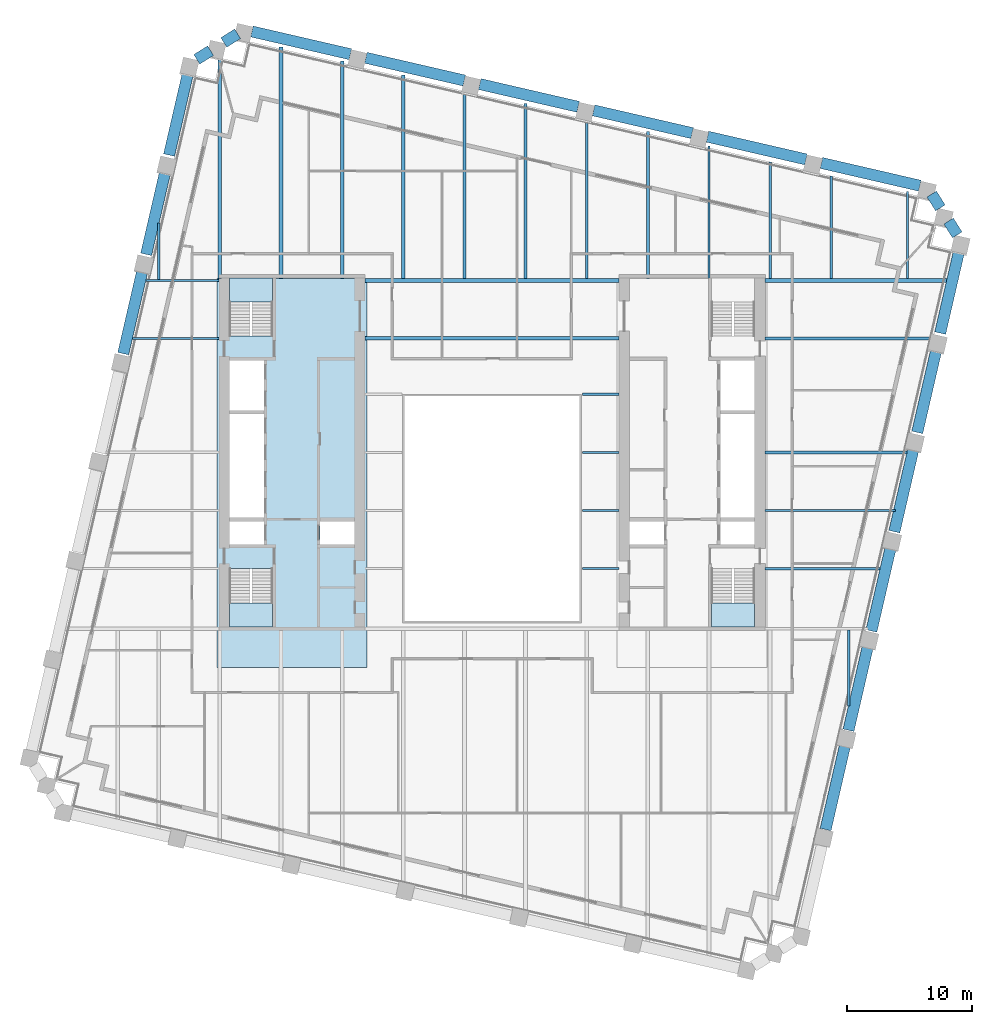
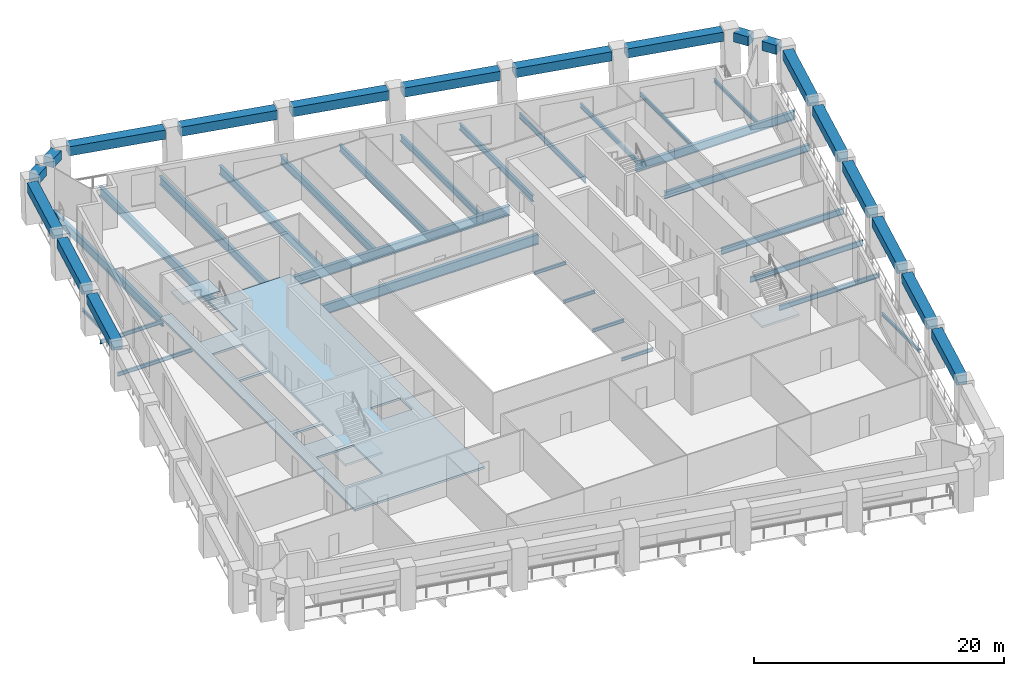
# One storey, part 2 of 9: 46 beams, 4 slabs, 3 elements without a shape of their own.
"""IFC4 building model written with IfcOpenShell, lengths in metres."""

from ifc_helpers import new_model, si_unit, direction, frame, origin, origin_2d, place, context, subcontext, project, spatial, polyline, rectangle, i_section, outline, extrude, material, layer, layer_set, material_profile, profile_set, type_object, element, aggregate, save


model = new_model("IFC4")

# Units and contexts
model_context = context("Model", 3, precision=1e-05, world=origin(), true_north=direction((0.0, 1.0)))
body_context = subcontext(model_context, "Body", "Model", "MODEL_VIEW")
ifc_project = project(units=[si_unit("LENGTHUNIT", "METRE"), si_unit("AREAUNIT", "SQUARE_METRE"), si_unit("VOLUMEUNIT", "CUBIC_METRE"), si_unit("PLANEANGLEUNIT", "RADIAN"), si_unit("MASSUNIT", "GRAM", prefix="KILO")], contexts=[model_context])

# Site, building, storey
site_placement = place(None, origin())
site = spatial("IfcSite", under=ifc_project, at=site_placement, CompositionType="ELEMENT")
building_placement = place(site_placement, origin())
building = spatial("IfcBuilding", under=site, at=building_placement, Name="Ogive Exchange Tower", CompositionType="ELEMENT")
storey_placement = place(building_placement, frame((0.0, 0.0, 122.39990234375)))
storey = spatial("IfcBuildingStorey", under=building, at=storey_placement, Name="L26", CompositionType="ELEMENT", Elevation=122.39990234375)

# Beams
ifc_material_1 = material(Name="Steel ASTM A992 Gr50", Category="steel")
ifc_material_profile_1 = material_profile(ifc_material_1, i_section(OverallWidth=0.300048828125, OverallDepth=0.969970703125, WebThickness=0.01611328125, FlangeThickness=0.02099609375, at=origin_2d()), Name="W1000x222")
ifc_profile_set_1 = profile_set([ifc_material_profile_1], Name="Steel ASTM A992 Gr50")
beam_type_1 = type_object("IfcBeamType", Name="Floor beam W1000x222", PredefinedType="JOIST", material=ifc_profile_set_1)
beam_1_placement = place(storey_placement, frame((-10.169921875, 20.62255859375, -0.684814453125), z_axis=(1.0, 0.0, 0.0), x_axis=(0.0, 1.0, 0.0)))
element("IfcBeam", 1, at=beam_1_placement, inside=storey, type_object=beam_type_1, Name="Floor beam", PredefinedType="JOIST", context=body_context, shape_type="SweptSolid", body=[
    extrude(i_section(OverallWidth=0.300048828125, OverallDepth=0.969970703125, WebThickness=0.01611328125, FlangeThickness=0.02099609375, at=origin_2d()), origin(), (0.0, 0.0, 1.0), 20.33984375),
])
ifc_material_profile_2 = material_profile(ifc_material_1, i_section(OverallWidth=0.1650390625, OverallDepth=0.31005859375, WebThickness=0.005859375, FlangeThickness=0.009765625, at=origin_2d()), Name="W310x38.7")
ifc_profile_set_2 = profile_set([ifc_material_profile_2], Name="Steel ASTM A992 Gr50")
beam_type_2 = type_object("IfcBeamType", Name="Floor beam W310x38.7", PredefinedType="JOIST", material=ifc_profile_set_2)
for number, where, z_axis, x_axis, name in (
    (2, (7.219970703125, 2.208740234375, -0.35498046875), (1.0, 0.0, 0.0), (0.0, 1.0, 0.0), "Floor beam"),
    (3, (7.219970703125, 6.857421875, -0.35498046875), (1.0, 0.0, 0.0), (0.0, 1.0, 0.0), "Floor beam"),
    (4, (7.219970703125, 11.50634765625, -0.35498046875), (1.0, 0.0, 0.0), (0.0, 1.0, 0.0), "Floor beam"),
):
    element("IfcBeam", number, at=place(storey_placement, frame(where, z_axis=z_axis, x_axis=x_axis)), inside=storey, type_object=beam_type_2, Name=name, PredefinedType="JOIST", context=body_context, shape_type="SweptSolid", body=[
        extrude(i_section(OverallWidth=0.1650390625, OverallDepth=0.31005859375, WebThickness=0.005859375, FlangeThickness=0.009765625, at=origin_2d()), origin(), (0.0, 0.0, 1.0), 2.949951171875),
    ])
beam_2_placement = place(storey_placement, frame((28.527099609375, -8.78271484375, -0.35498046875), z_axis=(0.0, 1.0, 0.0), x_axis=(-1.0, 0.0, 0.0)))
element("IfcBeam", 5, at=beam_2_placement, inside=storey, type_object=beam_type_2, Name="Floor beam", PredefinedType="JOIST", context=body_context, shape_type="SweptSolid", body=[
    extrude(i_section(OverallWidth=0.1650390625, OverallDepth=0.31005859375, WebThickness=0.005859375, FlangeThickness=0.009765625, at=origin_2d()), origin(), (0.0, 0.0, 1.0), 6.091796875),
])
beam_3_placement = place(storey_placement, frame((-26.66064453125, 25.33056640625, -0.35498046875), z_axis=(0.0, 1.0, 0.0), x_axis=(-1.0, 0.0, 0.0)))
element("IfcBeam", 6, at=beam_3_placement, inside=storey, type_object=beam_type_2, Name="Floor beam", PredefinedType="JOIST", context=body_context, shape_type="SweptSolid", body=[
    extrude(i_section(OverallWidth=0.1650390625, OverallDepth=0.31005859375, WebThickness=0.005859375, FlangeThickness=0.009765625, at=origin_2d()), origin(), (0.0, 0.0, 1.0), 4.5361328125),
])
ifc_material_profile_3 = material_profile(ifc_material_1, i_section(OverallWidth=0.1708984375, OverallDepth=0.35595703125, WebThickness=0.00732421875, FlangeThickness=0.01171875, at=origin_2d()), Name="W360x51")
ifc_profile_set_3 = profile_set([ifc_material_profile_3], Name="Steel ASTM A992 Gr50")
beam_type_3 = type_object("IfcBeamType", Name="Floor beam W360x51", PredefinedType="JOIST", material=ifc_profile_set_3)
beam_4_placement = place(storey_placement, frame((-28.76025390625, 20.62255859375, -0.3779296875), z_axis=(1.0, 0.0, 0.0), x_axis=(0.0, 1.0, 0.0)))
element("IfcBeam", 7, at=beam_4_placement, inside=storey, type_object=beam_type_3, Name="Floor beam", PredefinedType="JOIST", context=body_context, shape_type="SweptSolid", body=[
    extrude(i_section(OverallWidth=0.1708984375, OverallDepth=0.35595703125, WebThickness=0.00732421875, FlangeThickness=0.01171875, at=origin_2d()), origin(), (0.0, 0.0, 1.0), 6.93017578125),
])
beam_5_placement = place(storey_placement, frame((33.216796875, 25.39111328125, -0.3779296875), z_axis=(0.0, 1.0, 0.0), x_axis=(-1.0, 0.0, 0.0)))
element("IfcBeam", 8, at=beam_5_placement, inside=storey, type_object=beam_type_3, Name="Floor beam", PredefinedType="JOIST", context=body_context, shape_type="SweptSolid", body=[
    extrude(i_section(OverallWidth=0.1708984375, OverallDepth=0.35595703125, WebThickness=0.00732421875, FlangeThickness=0.01171875, at=origin_2d()), origin(), (0.0, 0.0, 1.0), 6.968505859375),
])
ifc_material_profile_4 = material_profile(ifc_material_1, i_section(OverallWidth=0.177978515625, OverallDepth=0.406005859375, WebThickness=0.0078125, FlangeThickness=0.0126953125, at=origin_2d()), Name="W410x60")
ifc_profile_set_4 = profile_set([ifc_material_profile_4], Name="Steel ASTM A992 Gr50")
beam_type_4 = type_object("IfcBeamType", Name="Floor beam W410x60", PredefinedType="JOIST", material=ifc_profile_set_4)
beam_6_placement = place(storey_placement, frame((27.126953125, 25.39111328125, -0.40283203125), z_axis=(0.0, 1.0, 0.0), x_axis=(-1.0, 0.0, 0.0)))
element("IfcBeam", 9, at=beam_6_placement, inside=storey, type_object=beam_type_4, Name="Floor beam", PredefinedType="JOIST", context=body_context, shape_type="SweptSolid", body=[
    extrude(i_section(OverallWidth=0.177978515625, OverallDepth=0.406005859375, WebThickness=0.0078125, FlangeThickness=0.0126953125, at=origin_2d()), origin(), (0.0, 0.0, 1.0), 8.224365234375),
])
ifc_material_profile_5 = material_profile(ifc_material_1, i_section(OverallWidth=0.19091796875, OverallDepth=0.45703125, WebThickness=0.009033203125, FlangeThickness=0.014404296875, at=origin_2d()), Name="W460x74")
ifc_profile_set_5 = profile_set([ifc_material_profile_5], Name="Steel ASTM A992 Gr50")
beam_type_5 = type_object("IfcBeamType", Name="Floor beam W460x74", PredefinedType="JOIST", material=ifc_profile_set_5)
beam_7_placement = place(storey_placement, frame((21.830078125, 2.208740234375, -0.428466796875), z_axis=(1.0, 0.0, 0.0), x_axis=(0.0, 1.0, 0.0)))
element("IfcBeam", 10, at=beam_7_placement, inside=storey, type_object=beam_type_5, Name="Floor beam", PredefinedType="JOIST", context=body_context, shape_type="SweptSolid", body=[
    extrude(i_section(OverallWidth=0.19091796875, OverallDepth=0.45703125, WebThickness=0.009033203125, FlangeThickness=0.014404296875, at=origin_2d()), origin(), (0.0, 0.0, 1.0), 9.199951171875),
])
beam_8_placement = place(storey_placement, frame((22.2373046875, 25.39111328125, -0.428466796875), z_axis=(0.0, 1.0, 0.0), x_axis=(-1.0, 0.0, 0.0)))
element("IfcBeam", 11, at=beam_8_placement, inside=storey, type_object=beam_type_5, Name="Floor beam", PredefinedType="JOIST", context=body_context, shape_type="SweptSolid", body=[
    extrude(i_section(OverallWidth=0.19091796875, OverallDepth=0.45703125, WebThickness=0.009033203125, FlangeThickness=0.014404296875, at=origin_2d()), origin(), (0.0, 0.0, 1.0), 9.353271484375),
])
ifc_material_profile_6 = material_profile(ifc_material_1, i_section(OverallWidth=0.1669921875, OverallDepth=0.535888671875, WebThickness=0.01025390625, FlangeThickness=0.0166015625, at=origin_2d()), Name="W530x85")
ifc_profile_set_6 = profile_set([ifc_material_profile_6], Name="Steel ASTM A992 Gr50")
beam_type_6 = type_object("IfcBeamType", Name="Floor beam W530x85", PredefinedType="JOIST", material=ifc_profile_set_6)
beam_9_placement = place(storey_placement, frame((21.830078125, 6.857421875, -0.468017578125), z_axis=(1.0, 0.0, 0.0), x_axis=(0.0, 1.0, 0.0)))
element("IfcBeam", 12, at=beam_9_placement, inside=storey, type_object=beam_type_6, Name="Floor beam", PredefinedType="JOIST", context=body_context, shape_type="SweptSolid", body=[
    extrude(i_section(OverallWidth=0.1669921875, OverallDepth=0.535888671875, WebThickness=0.01025390625, FlangeThickness=0.0166015625, at=origin_2d()), origin(), (0.0, 0.0, 1.0), 10.423095703125),
])
beam_10_placement = place(storey_placement, frame((17.347412109375, 25.39990234375, -0.468017578125), z_axis=(0.0, 1.0, 0.0), x_axis=(-1.0, 0.0, 0.0)))
element("IfcBeam", 13, at=beam_10_placement, inside=storey, type_object=beam_type_6, Name="Floor beam", PredefinedType="JOIST", context=body_context, shape_type="SweptSolid", body=[
    extrude(i_section(OverallWidth=0.1669921875, OverallDepth=0.535888671875, WebThickness=0.01025390625, FlangeThickness=0.0166015625, at=origin_2d()), origin(), (0.0, 0.0, 1.0), 10.623291015625),
])
ifc_material_profile_7 = material_profile(ifc_material_1, i_section(OverallWidth=0.22802734375, OverallDepth=0.60205078125, WebThickness=0.010498046875, FlangeThickness=0.014892578125, at=origin_2d()), Name="W610x101")
ifc_profile_set_7 = profile_set([ifc_material_profile_7], Name="Steel ASTM A992 Gr50")
beam_type_7 = type_object("IfcBeamType", Name="Floor beam W610x101", PredefinedType="JOIST", material=ifc_profile_set_7)
beam_11_placement = place(storey_placement, frame((21.830078125, 11.50634765625, -0.5009765625), z_axis=(1.0, 0.0, 0.0), x_axis=(0.0, 1.0, 0.0)))
element("IfcBeam", 14, at=beam_11_placement, inside=storey, type_object=beam_type_7, Name="Floor beam", PredefinedType="JOIST", context=body_context, shape_type="SweptSolid", body=[
    extrude(i_section(OverallWidth=0.22802734375, OverallDepth=0.60205078125, WebThickness=0.010498046875, FlangeThickness=0.014892578125, at=origin_2d()), origin(), (0.0, 0.0, 1.0), 11.346435546875),
])
beam_12_placement = place(storey_placement, frame((12.45751953125, 25.39990234375, -0.5009765625), z_axis=(0.0, 1.0, 0.0), x_axis=(-1.0, 0.0, 0.0)))
element("IfcBeam", 15, at=beam_12_placement, inside=storey, type_object=beam_type_7, Name="Floor beam", PredefinedType="JOIST", context=body_context, shape_type="SweptSolid", body=[
    extrude(i_section(OverallWidth=0.22802734375, OverallDepth=0.60205078125, WebThickness=0.010498046875, FlangeThickness=0.014892578125, at=origin_2d()), origin(), (0.0, 0.0, 1.0), 11.752197265625),
])
ifc_material_profile_8 = material_profile(ifc_material_1, i_section(OverallWidth=0.22900390625, OverallDepth=0.612060546875, WebThickness=0.011962890625, FlangeThickness=0.01953125, at=origin_2d()), Name="W610x125")
ifc_profile_set_8 = profile_set([ifc_material_profile_8], Name="Steel ASTM A992 Gr50")
beam_type_8 = type_object("IfcBeamType", Name="Floor beam W610x125", PredefinedType="JOIST", material=ifc_profile_set_8)
beam_13_placement = place(storey_placement, frame((7.56787109375, 25.39501953125, -0.505859375), z_axis=(0.0, 1.0, 0.0), x_axis=(-1.0, 0.0, 0.0)))
element("IfcBeam", 16, at=beam_13_placement, inside=storey, type_object=beam_type_8, Name="Floor beam", PredefinedType="JOIST", context=body_context, shape_type="SweptSolid", body=[
    extrude(i_section(OverallWidth=0.22900390625, OverallDepth=0.612060546875, WebThickness=0.011962890625, FlangeThickness=0.01953125, at=origin_2d()), origin(), (0.0, 0.0, 1.0), 12.736083984375),
])
ifc_material_profile_9 = material_profile(ifc_material_1, i_section(OverallWidth=0.25390625, OverallDepth=0.677978515625, WebThickness=0.01171875, FlangeThickness=0.016357421875, at=origin_2d()), Name="W690x125")
ifc_profile_set_9 = profile_set([ifc_material_profile_9], Name="Steel ASTM A992 Gr50")
beam_type_9 = type_object("IfcBeamType", Name="Floor beam W690x125", PredefinedType="JOIST", material=ifc_profile_set_9)
beam_14_placement = place(storey_placement, frame((21.830078125, 20.62255859375, -0.538818359375), z_axis=(1.0, 0.0, 0.0), x_axis=(0.0, 1.0, 0.0)))
element("IfcBeam", 17, at=beam_14_placement, inside=storey, type_object=beam_type_9, Name="Floor beam", PredefinedType="JOIST", context=body_context, shape_type="SweptSolid", body=[
    extrude(i_section(OverallWidth=0.25390625, OverallDepth=0.677978515625, WebThickness=0.01171875, FlangeThickness=0.016357421875, at=origin_2d()), origin(), (0.0, 0.0, 1.0), 13.450927734375),
])
beam_15_placement = place(storey_placement, frame((2.677978515625, 25.39501953125, -0.538818359375), z_axis=(0.0, 1.0, 0.0), x_axis=(-1.0, 0.0, 0.0)))
element("IfcBeam", 18, at=beam_15_placement, inside=storey, type_object=beam_type_9, Name="Floor beam", PredefinedType="JOIST", context=body_context, shape_type="SweptSolid", body=[
    extrude(i_section(OverallWidth=0.25390625, OverallDepth=0.677978515625, WebThickness=0.01171875, FlangeThickness=0.016357421875, at=origin_2d()), origin(), (0.0, 0.0, 1.0), 14.014892578125),
])
ifc_material_profile_10 = material_profile(ifc_material_1, i_section(OverallWidth=0.26708984375, OverallDepth=0.75390625, WebThickness=0.01318359375, FlangeThickness=0.01708984375, at=origin_2d()), Name="W760x147")
ifc_profile_set_10 = profile_set([ifc_material_profile_10], Name="Steel ASTM A992 Gr50")
beam_type_10 = type_object("IfcBeamType", Name="Floor beam W760x147", PredefinedType="JOIST", material=ifc_profile_set_10)
beam_16_placement = place(storey_placement, frame((-2.2119140625, 25.39501953125, -0.576904296875), z_axis=(0.0, 1.0, 0.0), x_axis=(-1.0, 0.0, 0.0)))
element("IfcBeam", 19, at=beam_16_placement, inside=storey, type_object=beam_type_10, Name="Floor beam", PredefinedType="JOIST", context=body_context, shape_type="SweptSolid", body=[
    extrude(i_section(OverallWidth=0.26708984375, OverallDepth=0.75390625, WebThickness=0.01318359375, FlangeThickness=0.01708984375, at=origin_2d()), origin(), (0.0, 0.0, 1.0), 14.993896484375),
])
ifc_material_profile_11 = material_profile(ifc_material_1, i_section(OverallWidth=0.2919921875, OverallDepth=0.8359375, WebThickness=0.013916015625, FlangeThickness=0.018798828125, at=origin_2d()), Name="W840x176")
ifc_profile_set_11 = profile_set([ifc_material_profile_11], Name="Steel ASTM A992 Gr50")
beam_type_11 = type_object("IfcBeamType", Name="Floor beam W840x176", PredefinedType="JOIST", material=ifc_profile_set_11)
beam_17_placement = place(storey_placement, frame((-21.77099609375, 25.39990234375, -0.617919921875), z_axis=(0.0, 1.0, 0.0), x_axis=(-1.0, 0.0, 0.0)))
element("IfcBeam", 20, at=beam_17_placement, inside=storey, type_object=beam_type_11, Name="Floor beam", PredefinedType="JOIST", context=body_context, shape_type="SweptSolid", body=[
    extrude(i_section(OverallWidth=0.2919921875, OverallDepth=0.8359375, WebThickness=0.013916015625, FlangeThickness=0.018798828125, at=origin_2d()), origin(), (0.0, 0.0, 1.0), 17.4951171875),
])
beam_18_placement = place(storey_placement, frame((-11.9912109375, 25.39990234375, -0.617919921875), z_axis=(0.0, 1.0, 0.0), x_axis=(-1.0, 0.0, 0.0)))
element("IfcBeam", 21, at=beam_18_placement, inside=storey, type_object=beam_type_11, Name="Floor beam", PredefinedType="JOIST", context=body_context, shape_type="SweptSolid", body=[
    extrude(i_section(OverallWidth=0.2919921875, OverallDepth=0.8359375, WebThickness=0.013916015625, FlangeThickness=0.018798828125, at=origin_2d()), origin(), (0.0, 0.0, 1.0), 17.396728515625),
])
beam_19_placement = place(storey_placement, frame((-7.1015625, 25.39501953125, -0.617919921875), z_axis=(0.0, 1.0, 0.0), x_axis=(-1.0, 0.0, 0.0)))
element("IfcBeam", 22, at=beam_19_placement, inside=storey, type_object=beam_type_11, Name="Floor beam", PredefinedType="JOIST", context=body_context, shape_type="SweptSolid", body=[
    extrude(i_section(OverallWidth=0.2919921875, OverallDepth=0.8359375, WebThickness=0.013916015625, FlangeThickness=0.018798828125, at=origin_2d()), origin(), (0.0, 0.0, 1.0), 16.272705078125),
])
ifc_material_profile_12 = material_profile(ifc_material_1, i_section(OverallWidth=0.304931640625, OverallDepth=0.904052734375, WebThickness=0.01513671875, FlangeThickness=0.02001953125, at=origin_2d()), Name="W920x201")
ifc_profile_set_12 = profile_set([ifc_material_profile_12], Name="Steel ASTM A992 Gr50")
beam_type_12 = type_object("IfcBeamType", Name="Floor beam W920x201", PredefinedType="JOIST", material=ifc_profile_set_12)
beam_20_placement = place(storey_placement, frame((-16.881103515625, 25.39990234375, -0.65185546875), z_axis=(0.0, 1.0, 0.0), x_axis=(-1.0, 0.0, 0.0)))
element("IfcBeam", 23, at=beam_20_placement, inside=storey, type_object=beam_type_12, Name="Floor beam", PredefinedType="JOIST", context=body_context, shape_type="SweptSolid", body=[
    extrude(i_section(OverallWidth=0.304931640625, OverallDepth=0.904052734375, WebThickness=0.01513671875, FlangeThickness=0.02001953125, at=origin_2d()), origin(), (0.0, 0.0, 1.0), 18.525634765625),
])
ifc_material_profile_13 = material_profile(ifc_material_1, i_section(OverallWidth=0.300048828125, OverallDepth=0.97998046875, WebThickness=0.0166015625, FlangeThickness=0.026123046875, at=origin_2d()), Name="W1000x249")
ifc_profile_set_13 = profile_set([ifc_material_profile_13], Name="Steel ASTM A992 Gr50")
beam_type_13 = type_object("IfcBeamType", Name="Girder W1000x249", PredefinedType="BEAM", material=ifc_profile_set_13)
beam_21_placement = place(storey_placement, frame((-10.169921875, 25.2451171875, -0.68994140625), z_axis=(1.0, 0.0, 0.0), x_axis=(0.0, 1.0, 0.0)))
element("IfcBeam", 24, at=beam_21_placement, inside=storey, type_object=beam_type_13, Name="Header girder", PredefinedType="BEAM", context=body_context, shape_type="SweptSolid", body=[
    extrude(i_section(OverallWidth=0.300048828125, OverallDepth=0.97998046875, WebThickness=0.0166015625, FlangeThickness=0.026123046875, at=origin_2d()), origin(), (0.0, 0.0, 1.0), 20.33984375),
])
ifc_material_profile_14 = material_profile(ifc_material_1, i_section(OverallWidth=0.1650390625, OverallDepth=0.31005859375, WebThickness=0.005859375, FlangeThickness=0.009765625, at=origin_2d()), Name="W310x38.7")
ifc_profile_set_14 = profile_set([ifc_material_profile_14], Name="Steel ASTM A992 Gr50")
beam_type_14 = type_object("IfcBeamType", Name="Girder W310x38.7", PredefinedType="BEAM", material=ifc_profile_set_14)
beam_22_placement = place(storey_placement, frame((7.219970703125, 16.155029296875, -0.35498046875), z_axis=(1.0, 0.0, 0.0), x_axis=(0.0, 1.0, 0.0)))
element("IfcBeam", 25, at=beam_22_placement, inside=storey, type_object=beam_type_14, Name="Trimmer girder", PredefinedType="BEAM", context=body_context, shape_type="SweptSolid", body=[
    extrude(i_section(OverallWidth=0.1650390625, OverallDepth=0.31005859375, WebThickness=0.005859375, FlangeThickness=0.009765625, at=origin_2d()), origin(), (0.0, 0.0, 1.0), 2.949951171875),
])
ifc_material_profile_15 = material_profile(ifc_material_1, i_section(OverallWidth=0.1708984375, OverallDepth=0.35595703125, WebThickness=0.00732421875, FlangeThickness=0.01171875, at=origin_2d()), Name="W360x51")
ifc_profile_set_15 = profile_set([ifc_material_profile_15], Name="Steel ASTM A992 Gr50")
beam_type_15 = type_object("IfcBeamType", Name="Girder W360x51", PredefinedType="BEAM", material=ifc_profile_set_15)
beam_23_placement = place(storey_placement, frame((-27.693115234375, 25.2451171875, -0.3779296875), z_axis=(1.0, 0.0, 0.0), x_axis=(0.0, 1.0, 0.0)))
element("IfcBeam", 26, at=beam_23_placement, inside=storey, type_object=beam_type_15, Name="Header girder", PredefinedType="BEAM", context=body_context, shape_type="SweptSolid", body=[
    extrude(i_section(OverallWidth=0.1708984375, OverallDepth=0.35595703125, WebThickness=0.00732421875, FlangeThickness=0.01171875, at=origin_2d()), origin(), (0.0, 0.0, 1.0), 5.863037109375),
])
ifc_material_profile_16 = material_profile(ifc_material_1, i_section(OverallWidth=0.2919921875, OverallDepth=0.8359375, WebThickness=0.013916015625, FlangeThickness=0.018798828125, at=origin_2d()), Name="W840x176")
ifc_profile_set_16 = profile_set([ifc_material_profile_16], Name="Steel ASTM A992 Gr50")
beam_type_16 = type_object("IfcBeamType", Name="Girder W840x176", PredefinedType="BEAM", material=ifc_profile_set_16)
beam_24_placement = place(storey_placement, frame((21.830078125, 25.2451171875, -0.617919921875), z_axis=(1.0, 0.0, 0.0), x_axis=(0.0, 1.0, 0.0)))
element("IfcBeam", 27, at=beam_24_placement, inside=storey, type_object=beam_type_16, Name="Header girder", PredefinedType="BEAM", context=body_context, shape_type="SweptSolid", body=[
    extrude(i_section(OverallWidth=0.2919921875, OverallDepth=0.8359375, WebThickness=0.013916015625, FlangeThickness=0.018798828125, at=origin_2d()), origin(), (0.0, 0.0, 1.0), 14.668212890625),
])
ifc_material_2 = material(Name="Precast concrete C70/85 (limestone faced)", Category="masonry")
ifc_material_profile_17 = material_profile(ifc_material_2, rectangle(XDim=0.89990234375, YDim=0.89990234375, at=origin_2d()), Name="900 x 900")
ifc_profile_set_17 = profile_set([ifc_material_profile_17], Name="Precast concrete C70/85 (limestone faced)")
beam_type_17 = type_object("IfcBeamType", Name="Precast spandrel 900 x 900 C70/85", PredefinedType="SPANDREL", material=ifc_profile_set_17)
beam_25_placement = place(storey_placement, frame((26.6728515625, -18.664306640625, 3.5), z_axis=(0.224955250564, 0.974369096002, 0.0), x_axis=(-0.974369096002, 0.224955250564, 0.0)))
element("IfcBeam", 28, at=beam_25_placement, inside=storey, type_object=beam_type_17, Name="Spandrel 10", PredefinedType="SPANDREL", context=body_context, shape_type="SweptSolid", body=[
    extrude(rectangle(XDim=0.89990234375, YDim=0.89990234375, at=origin_2d()), origin(), (0.0, 0.0, 1.0), 6.890380859375),
])
for number, where, z_axis, x_axis, name in (
    (29, (28.50634765625, -10.72265625, 3.5), (0.224947484592, 0.974370888921, 0.0), (-0.974370888921, 0.224947484592, 0.0), "Spandrel 11"),
    (30, (30.33984375, -2.781005859375, 3.5), (0.224947484592, 0.974370888921, 0.0), (-0.974370888921, 0.224947484592, 0.0), "Spandrel 12"),
    (31, (32.17333984375, 5.160888671875, 3.5), (0.224947484592, 0.974370888921, 0.0), (-0.974370888921, 0.224947484592, 0.0), "Spandrel 13"),
    (32, (34.0068359375, 13.1025390625, 3.5), (0.224947484592, 0.974370888921, 0.0), (-0.974370888921, 0.224947484592, 0.0), "Spandrel 14"),
    (33, (35.84033203125, 21.044189453125, 3.5), (0.224947484592, 0.974370888921, 0.0), (-0.974370888921, 0.224947484592, 0.0), "Spandrel 15"),
):
    element("IfcBeam", number, at=place(storey_placement, frame(where, z_axis=z_axis, x_axis=x_axis)), inside=storey, type_object=beam_type_17, Name=name, PredefinedType="SPANDREL", context=body_context, shape_type="SweptSolid", body=[
        extrude(rectangle(XDim=0.89990234375, YDim=0.89990234375, at=origin_2d()), origin(), (0.0, 0.0, 1.0), 6.890625),
    ])
for number, where, z_axis, x_axis, name in (
    (34, (37.2041015625, 28.8974609375, 3.5), (-0.530066093226, 0.847956329543, 0.0), (-0.847956329543, -0.530066093226, 0.0), "Spandrel 16"),
    (35, (35.85498046875, 31.05615234375, 3.5), (-0.529931776808, 0.848040277303, 0.0), (-0.848040277303, -0.529931776808, 0.0), "Spandrel 17"),
):
    element("IfcBeam", number, at=place(storey_placement, frame(where, z_axis=z_axis, x_axis=x_axis)), inside=storey, type_object=beam_type_17, Name=name, PredefinedType="SPANDREL", context=body_context, shape_type="SweptSolid", body=[
        extrude(rectangle(XDim=0.89990234375, YDim=0.89990234375, at=origin_2d()), origin(), (0.0, 0.0, 1.0), 1.30712890625),
    ])
for number, where, z_axis, x_axis, name in (
    (36, (34.220458984375, 32.83154296875, 3.5), (-0.974371864918, 0.224943256972, 0.0), (-0.224943256972, -0.974371864918, 0.0), "Spandrel 18"),
    (37, (25.110107421875, 34.934814453125, 3.5), (-0.974371864918, 0.224943256972, 0.0), (-0.224943256972, -0.974371864918, 0.0), "Spandrel 19"),
):
    element("IfcBeam", number, at=place(storey_placement, frame(where, z_axis=z_axis, x_axis=x_axis)), inside=storey, type_object=beam_type_17, Name=name, PredefinedType="SPANDREL", context=body_context, shape_type="SweptSolid", body=[
        extrude(rectangle(XDim=0.89990234375, YDim=0.89990234375, at=origin_2d()), origin(), (0.0, 0.0, 1.0), 8.090087890625),
    ])
beam_26_placement = place(storey_placement, frame((15.99951171875, 37.0380859375, 3.5), z_axis=(-0.974370337884, 0.224949871421, 0.0), x_axis=(-0.224949871421, -0.974370337884, 0.0)))
element("IfcBeam", 38, at=beam_26_placement, inside=storey, type_object=beam_type_17, Name="Spandrel 20", PredefinedType="SPANDREL", context=body_context, shape_type="SweptSolid", body=[
    extrude(rectangle(XDim=0.89990234375, YDim=0.89990234375, at=origin_2d()), origin(), (0.0, 0.0, 1.0), 8.08984375),
])
beam_27_placement = place(storey_placement, frame((6.889404296875, 39.141357421875, 3.5), z_axis=(-0.974371864918, 0.224943256972, 0.0), x_axis=(-0.224943256972, -0.974371864918, 0.0)))
element("IfcBeam", 39, at=beam_27_placement, inside=storey, type_object=beam_type_17, Name="Spandrel 21", PredefinedType="SPANDREL", context=body_context, shape_type="SweptSolid", body=[
    extrude(rectangle(XDim=0.89990234375, YDim=0.89990234375, at=origin_2d()), origin(), (0.0, 0.0, 1.0), 8.090087890625),
])
beam_28_placement = place(storey_placement, frame((-2.22119140625, 41.24462890625, 3.5), z_axis=(-0.974370337884, 0.224949871421, 0.0), x_axis=(-0.224949871421, -0.974370337884, 0.0)))
element("IfcBeam", 40, at=beam_28_placement, inside=storey, type_object=beam_type_17, Name="Spandrel 22", PredefinedType="SPANDREL", context=body_context, shape_type="SweptSolid", body=[
    extrude(rectangle(XDim=0.89990234375, YDim=0.89990234375, at=origin_2d()), origin(), (0.0, 0.0, 1.0), 8.08984375),
])
beam_29_placement = place(storey_placement, frame((-11.331298828125, 43.347900390625, 3.5), z_axis=(-0.974371864918, 0.224943256972, 0.0), x_axis=(-0.224943256972, -0.974371864918, 0.0)))
element("IfcBeam", 41, at=beam_29_placement, inside=storey, type_object=beam_type_17, Name="Spandrel 23", PredefinedType="SPANDREL", context=body_context, shape_type="SweptSolid", body=[
    extrude(rectangle(XDim=0.89990234375, YDim=0.89990234375, at=origin_2d()), origin(), (0.0, 0.0, 1.0), 8.090087890625),
])
for number, where, z_axis, x_axis, name in (
    (42, (-20.35302734375, 44.9814453125, 3.5), (-0.848092721491, -0.529847842077, 0.0), (0.529847842077, -0.848092721491, 0.0), "Spandrel 24"),
    (43, (-22.511962890625, 43.63232421875, 3.5), (-0.848040277303, -0.529931776808, 0.0), (0.529931776808, -0.848040277303, 0.0), "Spandrel 25"),
):
    element("IfcBeam", number, at=place(storey_placement, frame(where, z_axis=z_axis, x_axis=x_axis)), inside=storey, type_object=beam_type_17, Name=name, PredefinedType="SPANDREL", context=body_context, shape_type="SweptSolid", body=[
        extrude(rectangle(XDim=0.89990234375, YDim=0.89990234375, at=origin_2d()), origin(), (0.0, 0.0, 1.0), 1.30712890625),
    ])
beam_30_placement = place(storey_placement, frame((-24.287109375, 41.997802734375, 3.5), z_axis=(-0.224981121744, -0.97436312269, 0.0), x_axis=(0.97436312269, -0.224981121744, 0.0)))
element("IfcBeam", 44, at=beam_30_placement, inside=storey, type_object=beam_type_17, Name="Spandrel 26", PredefinedType="SPANDREL", context=body_context, shape_type="SweptSolid", body=[
    extrude(rectangle(XDim=0.89990234375, YDim=0.89990234375, at=origin_2d()), origin(), (0.0, 0.0, 1.0), 6.890869140625),
])
beam_31_placement = place(storey_placement, frame((-26.12060546875, 34.055908203125, 3.5), z_axis=(-0.224988888754, -0.97436132925, 0.0), x_axis=(0.97436132925, -0.224988888754, 0.0)))
element("IfcBeam", 45, at=beam_31_placement, inside=storey, type_object=beam_type_17, Name="Spandrel 27", PredefinedType="SPANDREL", context=body_context, shape_type="SweptSolid", body=[
    extrude(rectangle(XDim=0.89990234375, YDim=0.89990234375, at=origin_2d()), origin(), (0.0, 0.0, 1.0), 6.890625),
])
beam_32_placement = place(storey_placement, frame((-27.9541015625, 26.1142578125, 3.5), z_axis=(-0.224981121744, -0.97436312269, 0.0), x_axis=(0.97436312269, -0.224981121744, 0.0)))
element("IfcBeam", 46, at=beam_32_placement, inside=storey, type_object=beam_type_17, Name="Spandrel 28", PredefinedType="SPANDREL", context=body_context, shape_type="SweptSolid", body=[
    extrude(rectangle(XDim=0.89990234375, YDim=0.89990234375, at=origin_2d()), origin(), (0.0, 0.0, 1.0), 6.890869140625),
])

# Slab
ifc_material_3 = material(Name="Concrete C70/85", Category="concrete")
ifc_layer_1 = layer(ifc_material_3, 0.199951171875)
ifc_layer_set_1 = layer_set([ifc_layer_1], Name="Core floor slab 200")
slab_type_1 = type_object("IfcSlabType", Name="Core floor slab 200", PredefinedType="FLOOR", material=ifc_layer_set_1)
slab_1_placement = place(storey_placement, frame((0.0, 0.0, -0.199951171875)))
element("IfcSlab", 47, at=slab_1_placement, inside=storey, type_object=slab_type_1, Name="Core floor slab", PredefinedType="FLOOR", context=body_context, shape_type="SweptSolid", body=[
    extrude(outline(polyline([(-10.0, 25.39990234375), (-10.0, -5.699951171875), (-22.0, -5.699951171875), (-22.0, 25.39990234375), (-21.0, 25.39990234375), (-21.0, 20.803955078125), (-17.550048828125, 20.803955078125), (-17.550048828125, 25.39990234375), (-10.0, 25.39990234375)]), holes=[polyline([(-17.550048828125, 2.196044921875), (-21.0, 2.196044921875), (-21.0, -2.449951171875), (-17.550048828125, -2.449951171875), (-17.550048828125, 2.196044921875)]), polyline([(-18.25, 5.992919921875), (-21.0, 5.992919921875), (-21.0, 4.14990234375), (-18.25, 4.14990234375), (-18.25, 5.992919921875)]), polyline([(-11.0, 5.992919921875), (-13.75, 5.992919921875), (-13.75, 4.14990234375), (-11.0, 4.14990234375), (-11.0, 5.992919921875)]), polyline([(-21.0, 14.564208984375), (-21.0, 6.29296875), (-18.25, 6.29296875), (-18.25, 14.564208984375), (-21.0, 14.564208984375)]), polyline([(-18.25, 18.85009765625), (-21.0, 18.85009765625), (-21.0, 14.8642578125), (-18.25, 14.8642578125), (-18.25, 18.85009765625)])]), origin(), (0.0, 0.0, 1.0), 0.199951171875),
])

# Stair, slab
ifc_material_4 = material(Name="Concrete C40/50", Category="concrete")
stair_type = type_object("IfcStairType", Name="Exit stair 1650 wide", PredefinedType="HALF_TURN_STAIR", material=ifc_material_4)
stair_1_placement = place(storey_placement, origin())
stair_1 = element("IfcStair", 48, at=stair_1_placement, inside=storey, type_object=stair_type, Name="L26 exit stair ST1", PredefinedType="HALF_TURN_STAIR")
ifc_layer_2 = layer(ifc_material_4, 0.199951171875)
ifc_layer_set_2 = layer_set([ifc_layer_2], Name="Stair landing 200 slab")
slab_type_2 = type_object("IfcSlabType", Name="Stair landing 200 slab", PredefinedType="LANDING", material=ifc_layer_set_2)
slab_2_placement = place(storey_placement, frame((0.0, 0.0, 1.900146484375)))
slab_2 = element("IfcSlab", 49, at=slab_2_placement, type_object=slab_type_2, Name="ST1 landing 1", PredefinedType="LANDING", context=body_context, shape_type="SweptSolid", body=[
    extrude(outline(polyline([(-21.0, -0.550048828125), (-21.0, -2.449951171875), (-17.550048828125, -2.449951171875), (-17.550048828125, -0.550048828125), (-21.0, -0.550048828125)])), origin(), (0.0, 0.0, 1.0), 0.199951171875),
])
aggregate(stair_1, [slab_2])

stair_2_placement = place(storey_placement, origin())
stair_2 = element("IfcStair", 50, at=stair_2_placement, inside=storey, type_object=stair_type, Name="L26 exit stair ST2", PredefinedType="HALF_TURN_STAIR")
slab_3_placement = place(storey_placement, frame((0.0, 0.0, 1.900146484375)))
slab_3 = element("IfcSlab", 51, at=slab_3_placement, type_object=slab_type_2, Name="ST2 landing 1", PredefinedType="LANDING", context=body_context, shape_type="SweptSolid", body=[
    extrude(outline(polyline([(-17.550048828125, 23.550048828125), (-17.550048828125, 25.449951171875), (-21.0, 25.449951171875), (-21.0, 23.550048828125), (-17.550048828125, 23.550048828125)])), origin(), (0.0, 0.0, 1.0), 0.199951171875),
])
aggregate(stair_2, [slab_3])

stair_3_placement = place(storey_placement, origin())
stair_3 = element("IfcStair", 52, at=stair_3_placement, inside=storey, type_object=stair_type, Name="L26 exit stair ST3", PredefinedType="HALF_TURN_STAIR")
slab_4_placement = place(storey_placement, frame((0.0, 0.0, 1.900146484375)))
slab_4 = element("IfcSlab", 53, at=slab_4_placement, type_object=slab_type_2, Name="ST3 landing 1", PredefinedType="LANDING", context=body_context, shape_type="SweptSolid", body=[
    extrude(outline(polyline([(17.550048828125, -0.550048828125), (17.550048828125, -2.449951171875), (21.0, -2.449951171875), (21.0, -0.550048828125), (17.550048828125, -0.550048828125)])), origin(), (0.0, 0.0, 1.0), 0.199951171875),
])
aggregate(stair_3, [slab_4])

save(model, "model.ifc")
